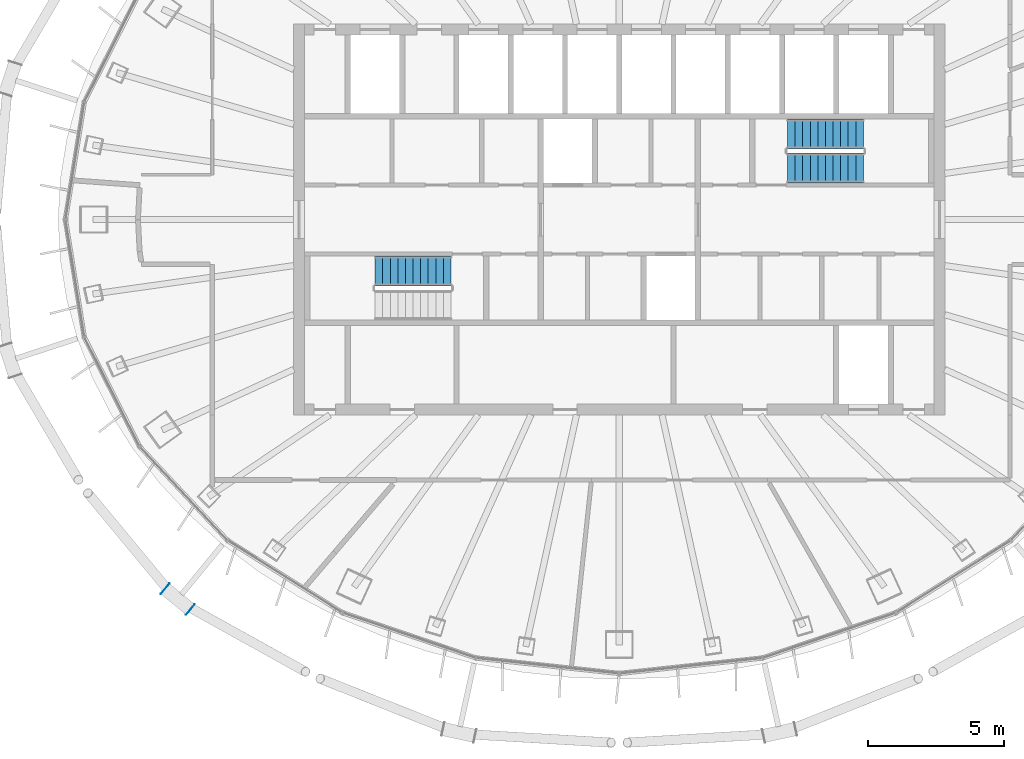
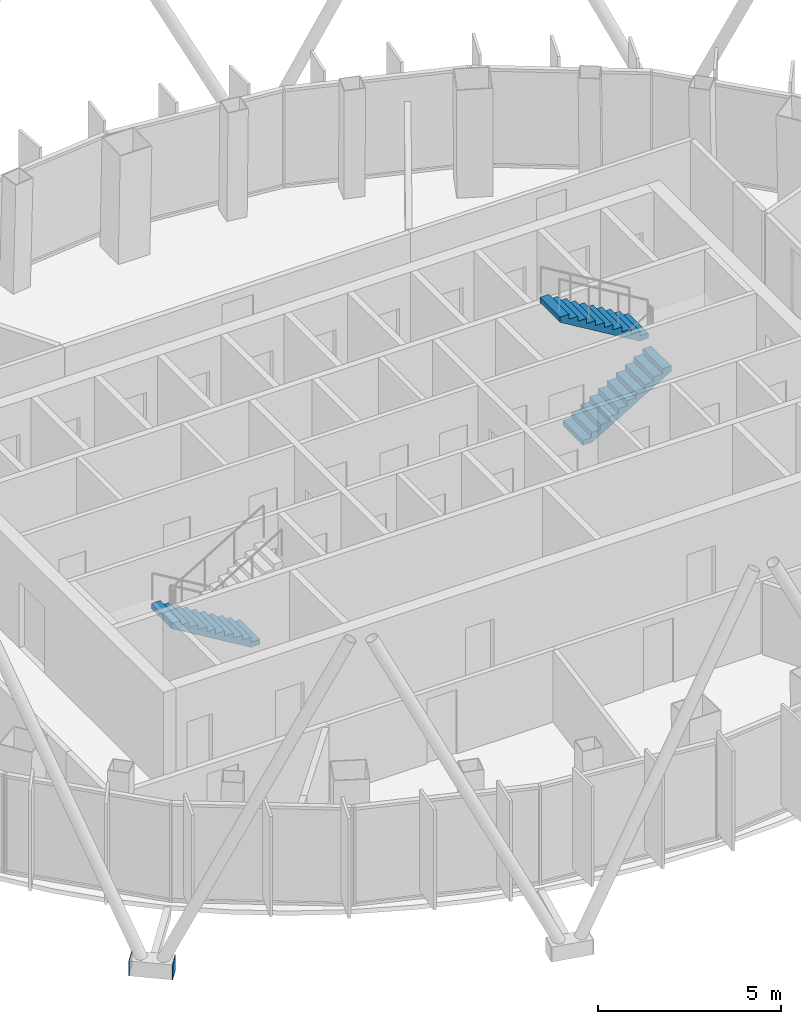
# One storey, part 12 of 18: 3 stair flights, 2 discrete accessories, 2 elements without a shape of their own.
"""IFC4 building model written with IfcOpenShell, lengths in metres."""

from ifc_helpers import new_model, si_unit, direction, frame, origin, origin_2d, place, context, subcontext, project, spatial, polyline, rectangle, outline, extrude, material, layer, layer_set, type_object, element, aggregate, save


model = new_model("IFC4")

# Units and contexts
model_context = context("Model", 3, precision=1e-05, world=origin(), true_north=direction((0.0, 1.0)))
body_context = subcontext(model_context, "Body", "Model", "MODEL_VIEW")
ifc_project = project(units=[si_unit("LENGTHUNIT", "METRE"), si_unit("AREAUNIT", "SQUARE_METRE"), si_unit("VOLUMEUNIT", "CUBIC_METRE"), si_unit("PLANEANGLEUNIT", "RADIAN"), si_unit("MASSUNIT", "GRAM", prefix="KILO")], contexts=[model_context])

# Site, building, storey
site_placement = place(None, origin())
site = spatial("IfcSite", under=ifc_project, at=site_placement, CompositionType="ELEMENT")
building_placement = place(site_placement, origin())
building = spatial("IfcBuilding", under=site, at=building_placement, Name="Siaravel Broadcast Tower", CompositionType="ELEMENT")
storey_placement = place(building_placement, frame((0.0, 0.0, 261.5)))
storey = spatial("IfcBuildingStorey", under=building, at=storey_placement, Name="L64", CompositionType="ELEMENT", Elevation=261.5)

# Stair, stair flight
ifc_material_1 = material(Name="Concrete C40/50", Category="concrete")
stair_type = type_object("IfcStairType", Name="Core exit stair", PredefinedType="HALF_TURN_STAIR", material=ifc_material_1)
stair_1_placement = place(storey_placement, origin())
stair_1 = element("IfcStair", 1, at=stair_1_placement, inside=storey, type_object=stair_type, Name="L64 Exit stair ST-1", PredefinedType="HALF_TURN_STAIR")
stair_flight_type = type_object("IfcStairFlightType", Name="Stair flight 1100", PredefinedType="STRAIGHT", material=ifc_material_1)
stair_flight_1_placement = place(storey_placement, frame((-6.199951171875, -1.89990234375, 0.0), z_axis=(0.0, 0.0, 1.0), x_axis=(-1.0, 0.0, 0.0)))
stair_flight_1 = element("IfcStairFlight", 2, at=stair_flight_1_placement, type_object=stair_flight_type, Name="ST-1 flight 1", NumberOfRisers=11, NumberOfTreads=10, PredefinedType="STRAIGHT", RiserHeight=0.1681818, TreadLength=0.28, context=body_context, shape_type="SweptSolid", body=[
    extrude(outline(polyline([(0.0, 0.0), (0.0, 0.168212890625), (0.280029296875, 0.168212890625), (0.280029296875, 0.33642578125), (0.56005859375, 0.33642578125), (0.56005859375, 0.504638671875), (0.840087890625, 0.504638671875), (0.840087890625, 0.672607421875), (1.1201171875, 0.672607421875), (1.1201171875, 0.8408203125), (1.39990234375, 0.8408203125), (1.39990234375, 1.009033203125), (1.679931640625, 1.009033203125), (1.679931640625, 1.17724609375), (1.9599609375, 1.17724609375), (1.9599609375, 1.345458984375), (2.239990234375, 1.345458984375), (2.239990234375, 1.513671875), (2.52001953125, 1.513671875), (2.52001953125, 1.681884765625), (2.800048828125, 1.681884765625), (2.800048828125, 1.85009765625), (2.800048828125, 1.5068359375), (0.291015625, 0.0), (0.0, 0.0)])), frame((0.0, 0.550048828125, 0.0), z_axis=(0.0, -1.0, 0.0), x_axis=(1.0, 0.0, 0.0)), (0.0, 0.0, 1.0), 1.10009765625),
])
aggregate(stair_1, [stair_flight_1])

# Stair, stair flights
stair_2_placement = place(storey_placement, origin())
stair_2 = element("IfcStair", 3, at=stair_2_placement, inside=storey, type_object=stair_type, Name="L64 Exit stair ST-2", PredefinedType="HALF_TURN_STAIR")
stair_flight_2_placement = place(storey_placement, frame((6.199951171875, 1.89990234375, 0.0), z_axis=(0.0, 0.0, 1.0), x_axis=(1.0, 0.0, 0.0)))
stair_flight_2 = element("IfcStairFlight", 4, at=stair_flight_2_placement, type_object=stair_flight_type, Name="ST-2 flight 1", NumberOfRisers=11, NumberOfTreads=10, PredefinedType="STRAIGHT", RiserHeight=0.1681818, TreadLength=0.28, context=body_context, shape_type="SweptSolid", body=[
    extrude(outline(polyline([(0.0, 0.0), (0.0, 0.168212890625), (0.280029296875, 0.168212890625), (0.280029296875, 0.33642578125), (0.56005859375, 0.33642578125), (0.56005859375, 0.504638671875), (0.840087890625, 0.504638671875), (0.840087890625, 0.672607421875), (1.1201171875, 0.672607421875), (1.1201171875, 0.8408203125), (1.39990234375, 0.8408203125), (1.39990234375, 1.009033203125), (1.679931640625, 1.009033203125), (1.679931640625, 1.17724609375), (1.9599609375, 1.17724609375), (1.9599609375, 1.345458984375), (2.239990234375, 1.345458984375), (2.239990234375, 1.513671875), (2.52001953125, 1.513671875), (2.52001953125, 1.681884765625), (2.800048828125, 1.681884765625), (2.800048828125, 1.85009765625), (2.800048828125, 1.5068359375), (0.291015625, 0.0), (0.0, 0.0)])), frame((0.0, 0.550048828125, 0.0), z_axis=(0.0, -1.0, 0.0), x_axis=(1.0, 0.0, 0.0)), (0.0, 0.0, 1.0), 1.10009765625),
])
stair_flight_3_placement = place(storey_placement, frame((9.0, 3.14990234375, 1.85009765625), z_axis=(0.0, 0.0, 1.0), x_axis=(-1.0, 0.0, 0.0)))
stair_flight_3 = element("IfcStairFlight", 5, at=stair_flight_3_placement, type_object=stair_flight_type, Name="ST-2 flight 2", NumberOfRisers=11, NumberOfTreads=10, PredefinedType="STRAIGHT", RiserHeight=0.1681818, TreadLength=0.28, context=body_context, shape_type="SweptSolid", body=[
    extrude(outline(polyline([(0.0, 0.0), (0.0, 0.168212890625), (0.280029296875, 0.168212890625), (0.280029296875, 0.33642578125), (0.56005859375, 0.33642578125), (0.56005859375, 0.504638671875), (0.840087890625, 0.504638671875), (0.840087890625, 0.672607421875), (1.1201171875, 0.672607421875), (1.1201171875, 0.8408203125), (1.39990234375, 0.8408203125), (1.39990234375, 1.009033203125), (1.679931640625, 1.009033203125), (1.679931640625, 1.17724609375), (1.9599609375, 1.17724609375), (1.9599609375, 1.345458984375), (2.239990234375, 1.345458984375), (2.239990234375, 1.513671875), (2.52001953125, 1.513671875), (2.52001953125, 1.681884765625), (2.800048828125, 1.681884765625), (2.800048828125, 1.85009765625), (2.800048828125, 1.5068359375), (0.291015625, 0.0), (0.0, 0.0)])), frame((0.0, 0.550048828125, 0.0), z_axis=(0.0, -1.0, 0.0), x_axis=(1.0, 0.0, 0.0)), (0.0, 0.0, 1.0), 1.10009765625),
])
aggregate(stair_2, [stair_flight_2, stair_flight_3])

# Discrete accessories
ifc_material_2 = material(Name="Steel S355", Category="steel")
ifc_layer = layer(ifc_material_2, 0.02001953125)
ifc_layer_set = layer_set([ifc_layer], Name="Steel S355")
discrete_accessory_type = type_object("IfcDiscreteAccessoryType", Name="Steel end plate 20 mm", PredefinedType="USERDEFINED", material=ifc_layer_set)
for number, where, z_axis, x_axis, name in (
    (6, (-15.806396484375, -14.37353515625, -0.449951171875), (0.0, 0.0, 1.0), (0.773604694, -0.633668508, 0.0), "End plate R26 station 45A"),
    (7, (-16.739990234375, -13.60888671875, -0.449951171875), (0.0, 0.0, 1.0), (0.773604694, -0.633668508, 0.0), "End plate R26 station 45B"),
):
    element("IfcDiscreteAccessory", number, at=place(storey_placement, frame(where, z_axis=z_axis, x_axis=x_axis)), inside=storey, type_object=discrete_accessory_type, Name=name, ObjectType="END PLATE", PredefinedType="USERDEFINED", context=body_context, shape_type="SweptSolid", body=[
        extrude(rectangle(XDim=0.02001953125, YDim=0.5, at=origin_2d()), origin(), (0.0, 0.0, 1.0), 0.5),
    ])

save(model, "model.ifc")
